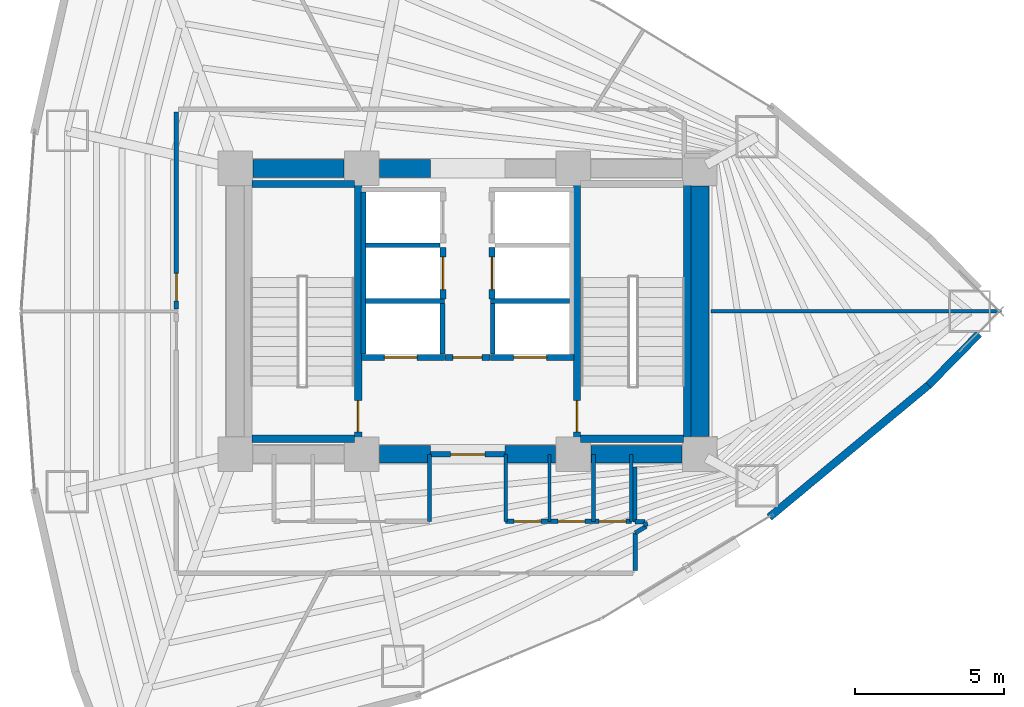
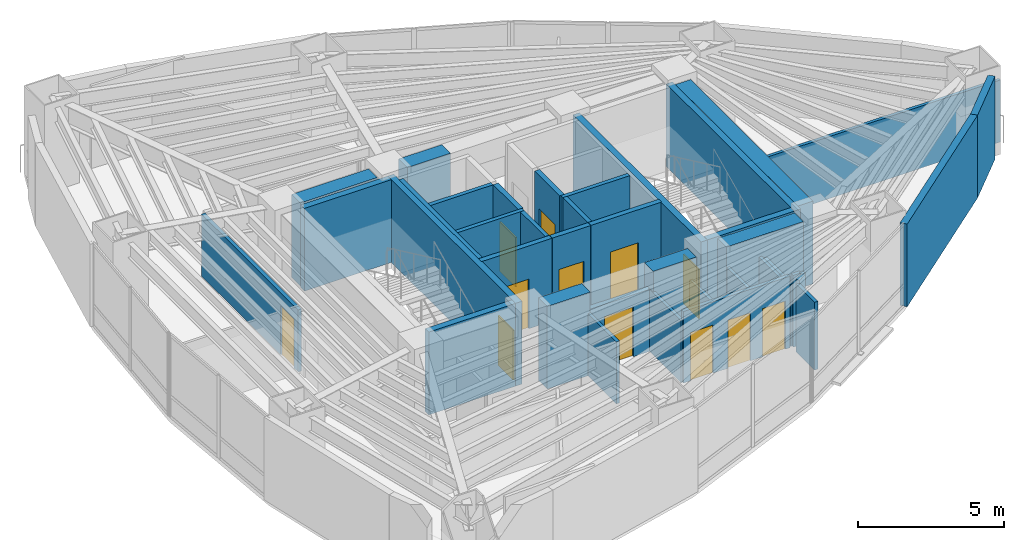
# One storey, part 14 of 18: 39 walls, 12 doors, 12 openings.
"""IFC4 building model written with IfcOpenShell, lengths in metres."""

from ifc_helpers import new_model, si_unit, direction, frame, frame_2d, origin, place, context, subcontext, project, spatial, rectangle, extrude, material, layer, layer_set, type_object, element, fill, save


model = new_model("IFC4")

# Units and contexts
model_context = context("Model", 3, precision=1e-05, world=origin(), true_north=direction((0.0, 1.0)))
body_context = subcontext(model_context, "Body", "Model", "MODEL_VIEW")
ifc_project = project(units=[si_unit("LENGTHUNIT", "METRE"), si_unit("AREAUNIT", "SQUARE_METRE"), si_unit("VOLUMEUNIT", "CUBIC_METRE"), si_unit("PLANEANGLEUNIT", "RADIAN"), si_unit("MASSUNIT", "GRAM", prefix="KILO")], contexts=[model_context])

# Site, building, storey
site_placement = place(None, origin())
site = spatial("IfcSite", under=ifc_project, at=site_placement, CompositionType="ELEMENT")
building_placement = place(site_placement, origin())
building = spatial("IfcBuilding", under=site, at=building_placement, Name="Menara Vayukalpa", CompositionType="ELEMENT")
storey_placement = place(building_placement, frame((0.0, 0.0, 35.0400390625)))
storey = spatial("IfcBuildingStorey", under=building, at=storey_placement, Name="L07", CompositionType="ELEMENT", Elevation=35.0400390625)

# Walls
ifc_material_1 = material(Name="Concrete C70/85", Category="concrete")
ifc_layer_1 = layer(ifc_material_1, 0.60009765625)
ifc_layer_set_1 = layer_set([ifc_layer_1], Name="Concrete C70/85")
wall_type_1 = type_object("IfcWallType", Name="WAL-CW600", PredefinedType="SHEAR", material=ifc_layer_set_1)
wall_1_placement = place(storey_placement, frame((22.64501953125, 17.199951171875, 0.0), z_axis=(0.0, 0.0, 1.0), x_axis=(1.0, 0.0, 0.0)))
element("IfcWall", 1, at=wall_1_placement, inside=storey, type_object=wall_type_1, Name="L07 Buttressed Core Shear Wall CWS2", PredefinedType="SHEAR", context=body_context, shape_type="SweptSolid", body=[
    extrude(rectangle(XDim=1.705078125, YDim=0.60009765625, at=frame_2d((0.8525390625, 0.0))), origin(), (0.0, 0.0, 1.0), 3.469970703125),
])
wall_2_placement = place(storey_placement, frame((26.85009765625, 17.199951171875, 0.0), z_axis=(0.0, 0.0, 1.0), x_axis=(1.0, 0.0, 0.0)))
element("IfcWall", 2, at=wall_2_placement, inside=storey, type_object=wall_type_1, Name="L07 Buttressed Core Shear Wall CWS3", PredefinedType="SHEAR", context=body_context, shape_type="SweptSolid", body=[
    extrude(rectangle(XDim=1.704833984375, YDim=0.60009765625, at=frame_2d((0.8525390625, 0.0))), origin(), (0.0, 0.0, 1.0), 3.469970703125),
])
wall_3_placement = place(storey_placement, frame((29.7451171875, 17.199951171875, 0.0), z_axis=(0.0, 0.0, 1.0), x_axis=(1.0, 0.0, 0.0)))
element("IfcWall", 3, at=wall_3_placement, inside=storey, type_object=wall_type_1, Name="L07 Buttressed Core Shear Wall CWS4", PredefinedType="SHEAR", context=body_context, shape_type="SweptSolid", body=[
    extrude(rectangle(XDim=3.059814453125, YDim=0.60009765625, at=frame_2d((1.52978515625, 0.0))), origin(), (0.0, 0.0, 1.0), 3.469970703125),
])
wall_4_placement = place(storey_placement, frame((18.39501953125, 26.800048828125, 0.0), z_axis=(0.0, 0.0, 1.0), x_axis=(1.0, 0.0, 0.0)))
element("IfcWall", 4, at=wall_4_placement, inside=storey, type_object=wall_type_1, Name="L07 Buttressed Core Shear Wall CWN1", PredefinedType="SHEAR", context=body_context, shape_type="SweptSolid", body=[
    extrude(rectangle(XDim=3.06005859375, YDim=0.60009765625, at=frame_2d((1.530029296875, 0.0))), origin(), (0.0, 0.0, 1.0), 3.469970703125),
])
wall_5_placement = place(storey_placement, frame((22.64501953125, 26.800048828125, 0.0), z_axis=(0.0, 0.0, 1.0), x_axis=(1.0, 0.0, 0.0)))
element("IfcWall", 5, at=wall_5_placement, inside=storey, type_object=wall_type_1, Name="L07 Buttressed Core Shear Wall CWN2", PredefinedType="SHEAR", context=body_context, shape_type="SweptSolid", body=[
    extrude(rectangle(XDim=1.705078125, YDim=0.60009765625, at=frame_2d((0.8525390625, 0.0))), origin(), (0.0, 0.0, 1.0), 3.469970703125),
])
wall_6_placement = place(storey_placement, frame((33.39990234375, 17.794921875, 0.0), z_axis=(0.0, 0.0, 1.0), x_axis=(0.0, 1.0, 0.0)))
element("IfcWall", 6, at=wall_6_placement, inside=storey, type_object=wall_type_1, Name="L07 Buttressed Core Shear Wall CWE1", PredefinedType="SHEAR", context=body_context, shape_type="SweptSolid", body=[
    extrude(rectangle(XDim=8.41015625, YDim=0.60009765625, at=frame_2d((4.205078125, 0.0))), origin(), (0.0, 0.0, 1.0), 3.469970703125),
])
ifc_material_2 = material(Name="Insulated Precast Concrete C40/50", Category="concrete")
ifc_layer_2 = layer(ifc_material_2, 0.260009765625)
ifc_layer_set_2 = layer_set([ifc_layer_2], Name="Insulated Precast Concrete C40/50")
wall_type_2 = type_object("IfcWallType", Name="WAL-EXT260", PredefinedType="PARTITIONING", material=ifc_layer_set_2)
wall_7_placement = place(storey_placement, frame((42.770263671875, 21.24169921875, 0.0), z_axis=(0.0, 0.0, 1.0), x_axis=(-0.70059851419, -0.713555689427, 0.0)))
element("IfcWall", 7, at=wall_7_placement, inside=storey, type_object=wall_type_2, Name="L07 Perimeter Terracotta Pier Wall 01", PredefinedType="PARTITIONING", context=body_context, shape_type="SweptSolid", body=[
    extrude(rectangle(XDim=2.411865234375, YDim=0.260009765625, at=frame_2d((1.2060546875, 0.0))), origin(), (0.0, 0.0, 1.0), 3.469970703125),
])
wall_8_placement = place(storey_placement, frame((41.08935546875, 19.52880859375, 0.0), z_axis=(0.0, 0.0, 1.0), x_axis=(-0.769754596928, -0.638339925517, 0.0)))
element("IfcWall", 8, at=wall_8_placement, inside=storey, type_object=wall_type_2, Name="L07 Perimeter Terracotta Pier Wall 18", PredefinedType="PARTITIONING", context=body_context, shape_type="SweptSolid", body=[
    extrude(rectangle(XDim=6.959228515625, YDim=0.260009765625, at=frame_2d((3.4794921875, 0.0))), origin(), (0.0, 0.0, 1.0), 3.469970703125),
])
ifc_material_3 = material(Name="Lightweight Concrete Blockwork C16/20", Category="masonry")
ifc_layer_3 = layer(ifc_material_3, 0.159912109375)
ifc_layer_set_3 = layer_set([ifc_layer_3], Name="Lightweight Concrete Blockwork C16/20")
wall_type_3 = type_object("IfcWallType", Name="WAL-FR150", PredefinedType="PARTITIONING", material=ifc_layer_set_3)
wall_9_placement = place(storey_placement, frame((22.10498046875, 20.56005859375, 0.0), z_axis=(0.0, 0.0, 1.0), x_axis=(0.0, 1.0, 0.0)))
element("IfcWall", 9, at=wall_9_placement, inside=storey, type_object=wall_type_3, Name="L07 Interior Partition IW-L07-SHW-WW", PredefinedType="PARTITIONING", context=body_context, shape_type="SweptSolid", body=[
    extrude(rectangle(XDim=5.449951171875, YDim=0.159912109375, at=frame_2d((2.72509765625, 0.0))), origin(), (0.0, 0.0, 1.0), 3.469970703125),
])
wall_10_placement = place(storey_placement, frame((24.7548828125, 20.56005859375, 0.0), z_axis=(0.0, 0.0, 1.0), x_axis=(0.0, 1.0, 0.0)))
element("IfcWall", 10, at=wall_10_placement, inside=storey, type_object=wall_type_3, Name="L07 Interior Partition IW-L07-SHW-W1E", PredefinedType="PARTITIONING", context=body_context, shape_type="SweptSolid", body=[
    extrude(rectangle(XDim=1.7099609375, YDim=0.159912109375, at=frame_2d((0.85498046875, 0.0))), origin(), (0.0, 0.0, 1.0), 3.469970703125),
])
wall_11_placement = place(storey_placement, frame((22.179931640625, 22.344970703125, 0.0), z_axis=(0.0, 0.0, 1.0), x_axis=(1.0, 0.0, 0.0)))
element("IfcWall", 11, at=wall_11_placement, inside=storey, type_object=wall_type_3, Name="L07 Interior Partition IW-L07-SHM-W12", PredefinedType="PARTITIONING", context=body_context, shape_type="SweptSolid", body=[
    extrude(rectangle(XDim=2.650146484375, YDim=0.159912109375, at=frame_2d((1.3251953125, 0.0))), origin(), (0.0, 0.0, 1.0), 3.469970703125),
])
wall_12_placement = place(storey_placement, frame((22.179931640625, 24.215087890625, 0.0), z_axis=(0.0, 0.0, 1.0), x_axis=(1.0, 0.0, 0.0)))
element("IfcWall", 12, at=wall_12_placement, inside=storey, type_object=wall_type_3, Name="L07 Interior Partition IW-L07-SHM-W23", PredefinedType="PARTITIONING", context=body_context, shape_type="SweptSolid", body=[
    extrude(rectangle(XDim=2.489990234375, YDim=0.159912109375, at=frame_2d((1.2451171875, 0.0))), origin(), (0.0, 0.0, 1.0), 3.469970703125),
])
wall_13_placement = place(storey_placement, frame((26.445068359375, 20.56005859375, 0.0), z_axis=(0.0, 0.0, 1.0), x_axis=(0.0, 1.0, 0.0)))
element("IfcWall", 13, at=wall_13_placement, inside=storey, type_object=wall_type_3, Name="L07 Interior Partition IW-L07-SHW-E1W", PredefinedType="PARTITIONING", context=body_context, shape_type="SweptSolid", body=[
    extrude(rectangle(XDim=1.7099609375, YDim=0.159912109375, at=frame_2d((0.85498046875, 0.0))), origin(), (0.0, 0.0, 1.0), 3.469970703125),
])
wall_14_placement = place(storey_placement, frame((26.3701171875, 22.344970703125, 0.0), z_axis=(0.0, 0.0, 1.0), x_axis=(1.0, 0.0, 0.0)))
element("IfcWall", 14, at=wall_14_placement, inside=storey, type_object=wall_type_3, Name="L07 Interior Partition IW-L07-SHM-E13", PredefinedType="PARTITIONING", context=body_context, shape_type="SweptSolid", body=[
    extrude(rectangle(XDim=2.64990234375, YDim=0.159912109375, at=frame_2d((1.324951171875, 0.0))), origin(), (0.0, 0.0, 1.0), 3.469970703125),
])

# Wall, opening, door
ifc_material_4 = material(Name="Lightweight Concrete Blockwork C16/20", Category="masonry")
ifc_layer_4 = layer(ifc_material_4, 0.199951171875)
ifc_layer_set_4 = layer_set([ifc_layer_4], Name="Lightweight Concrete Blockwork C16/20")
wall_type_4 = type_object("IfcWallType", Name="WAL-FR200", PredefinedType="PARTITIONING", material=ifc_layer_set_4)
wall_15_placement = place(storey_placement, frame((24.35009765625, 17.199951171875, 0.0), z_axis=(0.0, 0.0, 1.0), x_axis=(1.0, 0.0, 0.0)))
wall_15 = element("IfcWall", 15, at=wall_15_placement, inside=storey, type_object=wall_type_4, Name="L07 Interior Partition IW-L07-FFLS", PredefinedType="PARTITIONING", context=body_context, shape_type="SweptSolid", body=[
    extrude(rectangle(XDim=2.5, YDim=0.199951171875, at=frame_2d((1.25, 0.0))), origin(), (0.0, 0.0, 1.0), 2.599853515625),
])
opening_1_placement = place(wall_15_placement, frame((0.679931640625, 0.0, 0.0)))
opening_1 = element("IfcOpeningElement", 16, at=opening_1_placement, cuts=wall_15, Name="Opening ID2", PredefinedType="OPENING", context=body_context, shape_type="SweptSolid", body=[
    extrude(rectangle(XDim=1.14990234375, YDim=2.080078125, at=frame_2d((0.574951171875, 1.0400390625))), frame((0.0, 0.10986328125, 0.0), z_axis=(0.0, -1.0, 0.0), x_axis=(1.0, 0.0, 0.0)), (0.0, 0.0, 1.0), 0.219970703125),
])
ifc_material_5 = material(Name="Fire-Rated Powder-Coated Steel Door", Category="steel")
door_type_1 = type_object("IfcDoorType", Name="DR-FD60W", OperationType="NOTDEFINED", PredefinedType="DOOR", material=ifc_material_5)
door_1_placement = place(opening_1_placement, origin())
door_1 = element("IfcDoor", 17, at=door_1_placement, inside=storey, type_object=door_type_1, Name="L07 Interior Door DR-L07-FFLS", OperationType="SINGLE_SWING_LEFT", OverallHeight=2.080078125, OverallWidth=1.14990234375, PredefinedType="DOOR", context=body_context, shape_type="SweptSolid", body=[
    extrude(rectangle(XDim=1.14990234375, YDim=2.080078125, at=frame_2d((0.574951171875, 1.0400390625))), frame((0.0, 0.02490234375, 0.0), z_axis=(0.0, -1.0, 0.0), x_axis=(1.0, 0.0, 0.0)), (0.0, 0.0, 1.0), 0.050048828125),
])
fill(opening_1, door_1)

wall_16_placement = place(storey_placement, frame((24.840087890625, 20.449951171875, 0.0), z_axis=(0.0, 0.0, 1.0), x_axis=(1.0, 0.0, 0.0)))
wall_16 = element("IfcWall", 18, at=wall_16_placement, inside=storey, type_object=wall_type_4, Name="L07 Interior Partition IW-L07-FFLN", PredefinedType="PARTITIONING", context=body_context, shape_type="SweptSolid", body=[
    extrude(rectangle(XDim=1.52001953125, YDim=0.199951171875, at=frame_2d((0.760009765625, 0.0))), origin(), (0.0, 0.0, 1.0), 3.469970703125),
])
opening_2_placement = place(wall_16_placement, frame((0.27001953125, 0.0, 0.0)))
opening_2 = element("IfcOpeningElement", 19, at=opening_2_placement, cuts=wall_16, Name="Opening ID3", PredefinedType="OPENING", context=body_context, shape_type="SweptSolid", body=[
    extrude(rectangle(XDim=0.97998046875, YDim=2.06005859375, at=frame_2d((0.489990234375, 1.030029296875))), frame((0.0, 0.10986328125, 0.0), z_axis=(0.0, -1.0, 0.0), x_axis=(1.0, 0.0, 0.0)), (0.0, 0.0, 1.0), 0.219970703125),
])
ifc_material_6 = material(Name="Fire-Rated Powder-Coated Steel Door", Category="steel")
door_type_2 = type_object("IfcDoorType", Name="DR-FD60", OperationType="NOTDEFINED", PredefinedType="DOOR", material=ifc_material_6)
door_2_placement = place(opening_2_placement, origin())
door_2 = element("IfcDoor", 20, at=door_2_placement, inside=storey, type_object=door_type_2, Name="L07 Interior Door DR-L07-FFLN", OperationType="SINGLE_SWING_RIGHT", OverallHeight=2.06005859375, OverallWidth=0.97998046875, PredefinedType="DOOR", context=body_context, shape_type="SweptSolid", body=[
    extrude(rectangle(XDim=0.97998046875, YDim=2.06005859375, at=frame_2d((0.489990234375, 1.030029296875))), frame((0.0, 0.02490234375, 0.0), z_axis=(0.0, -1.0, 0.0), x_axis=(1.0, 0.0, 0.0)), (0.0, 0.0, 1.0), 0.050048828125),
])
fill(opening_2, door_2)

wall_17_placement = place(storey_placement, frame((22.030029296875, 20.449951171875, 0.0), z_axis=(0.0, 0.0, 1.0), x_axis=(1.0, 0.0, 0.0)))
wall_17 = element("IfcWall", 21, at=wall_17_placement, inside=storey, type_object=wall_type_4, Name="L07 Interior Partition IW-L07-SH-W1", PredefinedType="PARTITIONING", context=body_context, shape_type="SweptSolid", body=[
    extrude(rectangle(XDim=2.800048828125, YDim=0.199951171875, at=frame_2d((1.39990234375, 0.0))), origin(), (0.0, 0.0, 1.0), 3.469970703125),
])
opening_3_placement = place(wall_17_placement, frame((0.780029296875, 0.0, 0.0)))
opening_3 = element("IfcOpeningElement", 22, at=opening_3_placement, cuts=wall_17, Name="Opening LD1", PredefinedType="OPENING", context=body_context, shape_type="SweptSolid", body=[
    extrude(rectangle(XDim=1.10009765625, YDim=2.080078125, at=frame_2d((0.550048828125, 1.0400390625))), frame((0.0, 0.10986328125, 0.0), z_axis=(0.0, -1.0, 0.0), x_axis=(1.0, 0.0, 0.0)), (0.0, 0.0, 1.0), 0.219970703125),
])
ifc_material_7 = material(Name="Brushed Stainless Steel 316 Lift Door", Category="steel")
door_type_3 = type_object("IfcDoorType", Name="DR-LD110", OperationType="NOTDEFINED", PredefinedType="DOOR", material=ifc_material_7)
door_3_placement = place(opening_3_placement, origin())
door_3 = element("IfcDoor", 23, at=door_3_placement, inside=storey, type_object=door_type_3, Name="L07 Interior Door DR-L07-LD-W1", OperationType="DOUBLE_DOOR_SLIDING", OverallHeight=2.080078125, OverallWidth=1.10009765625, PredefinedType="DOOR", context=body_context, shape_type="SweptSolid", body=[
    extrude(rectangle(XDim=1.10009765625, YDim=2.080078125, at=frame_2d((0.550048828125, 1.0400390625))), frame((0.0, 0.02490234375, 0.0), z_axis=(0.0, -1.0, 0.0), x_axis=(1.0, 0.0, 0.0)), (0.0, 0.0, 1.0), 0.050048828125),
])
fill(opening_3, door_3)

wall_18_placement = place(storey_placement, frame((26.3701171875, 20.449951171875, 0.0), z_axis=(0.0, 0.0, 1.0), x_axis=(1.0, 0.0, 0.0)))
wall_18 = element("IfcWall", 24, at=wall_18_placement, inside=storey, type_object=wall_type_4, Name="L07 Interior Partition IW-L07-SH-E1", PredefinedType="PARTITIONING", context=body_context, shape_type="SweptSolid", body=[
    extrude(rectangle(XDim=2.7998046875, YDim=0.199951171875, at=frame_2d((1.39990234375, 0.0))), origin(), (0.0, 0.0, 1.0), 3.469970703125),
])
opening_4_placement = place(wall_18_placement, frame((0.780029296875, 0.0, 0.0)))
opening_4 = element("IfcOpeningElement", 25, at=opening_4_placement, cuts=wall_18, Name="Opening LD1", PredefinedType="OPENING", context=body_context, shape_type="SweptSolid", body=[
    extrude(rectangle(XDim=1.10009765625, YDim=2.080078125, at=frame_2d((0.550048828125, 1.0400390625))), frame((0.0, 0.10986328125, 0.0), z_axis=(0.0, -1.0, 0.0), x_axis=(1.0, 0.0, 0.0)), (0.0, 0.0, 1.0), 0.219970703125),
])
door_4_placement = place(opening_4_placement, origin())
door_4 = element("IfcDoor", 26, at=door_4_placement, inside=storey, type_object=door_type_3, Name="L07 Interior Door DR-L07-LD-E1", OperationType="DOUBLE_DOOR_SLIDING", OverallHeight=2.080078125, OverallWidth=1.10009765625, PredefinedType="DOOR", context=body_context, shape_type="SweptSolid", body=[
    extrude(rectangle(XDim=1.10009765625, YDim=2.080078125, at=frame_2d((0.550048828125, 1.0400390625))), frame((0.0, 0.02490234375, 0.0), z_axis=(0.0, -1.0, 0.0), x_axis=(1.0, 0.0, 0.0)), (0.0, 0.0, 1.0), 0.050048828125),
])
fill(opening_4, door_4)

wall_19_placement = place(storey_placement, frame((24.780029296875, 22.419921875, 0.0), z_axis=(0.0, 0.0, 1.0), x_axis=(0.0, 1.0, 0.0)))
wall_19 = element("IfcWall", 27, at=wall_19_placement, inside=storey, type_object=wall_type_4, Name="L07 Interior Partition IW-L07-SH-W2", PredefinedType="PARTITIONING", context=body_context, shape_type="SweptSolid", body=[
    extrude(rectangle(XDim=1.719970703125, YDim=0.199951171875, at=frame_2d((0.85986328125, 0.0))), origin(), (0.0, 0.0, 1.0), 3.469970703125),
])
opening_5_placement = place(wall_19_placement, frame((0.31005859375, 0.0, 0.0)))
opening_5 = element("IfcOpeningElement", 28, at=opening_5_placement, cuts=wall_19, Name="Opening LD1", PredefinedType="OPENING", context=body_context, shape_type="SweptSolid", body=[
    extrude(rectangle(XDim=1.10009765625, YDim=2.080078125, at=frame_2d((0.550048828125, 1.0400390625))), frame((0.0, 0.10986328125, 0.0), z_axis=(0.0, -1.0, 0.0), x_axis=(1.0, 0.0, 0.0)), (0.0, 0.0, 1.0), 0.219970703125),
])
door_5_placement = place(opening_5_placement, origin())
door_5 = element("IfcDoor", 29, at=door_5_placement, inside=storey, type_object=door_type_3, Name="L07 Interior Door DR-L07-LD-W2", OperationType="DOUBLE_DOOR_SLIDING", OverallHeight=2.080078125, OverallWidth=1.10009765625, PredefinedType="DOOR", context=body_context, shape_type="SweptSolid", body=[
    extrude(rectangle(XDim=1.10009765625, YDim=2.080078125, at=frame_2d((0.550048828125, 1.0400390625))), frame((0.0, 0.02490234375, 0.0), z_axis=(0.0, -1.0, 0.0), x_axis=(1.0, 0.0, 0.0)), (0.0, 0.0, 1.0), 0.050048828125),
])
fill(opening_5, door_5)

wall_20_placement = place(storey_placement, frame((26.419921875, 22.419921875, 0.0), z_axis=(0.0, 0.0, 1.0), x_axis=(0.0, 1.0, 0.0)))
wall_20 = element("IfcWall", 30, at=wall_20_placement, inside=storey, type_object=wall_type_4, Name="L07 Interior Partition IW-L07-SH-E3", PredefinedType="PARTITIONING", context=body_context, shape_type="SweptSolid", body=[
    extrude(rectangle(XDim=1.719970703125, YDim=0.199951171875, at=frame_2d((0.85986328125, 0.0))), origin(), (0.0, 0.0, 1.0), 3.469970703125),
])
opening_6_placement = place(wall_20_placement, frame((0.31005859375, 0.0, 0.0)))
opening_6 = element("IfcOpeningElement", 31, at=opening_6_placement, cuts=wall_20, Name="Opening LD1", PredefinedType="OPENING", context=body_context, shape_type="SweptSolid", body=[
    extrude(rectangle(XDim=1.10009765625, YDim=2.080078125, at=frame_2d((0.550048828125, 1.0400390625))), frame((0.0, 0.10986328125, 0.0), z_axis=(0.0, -1.0, 0.0), x_axis=(1.0, 0.0, 0.0)), (0.0, 0.0, 1.0), 0.219970703125),
])
door_6_placement = place(opening_6_placement, origin())
door_6 = element("IfcDoor", 32, at=door_6_placement, inside=storey, type_object=door_type_3, Name="L07 Interior Door DR-L07-LD-E3", OperationType="DOUBLE_DOOR_SLIDING", OverallHeight=2.080078125, OverallWidth=1.10009765625, PredefinedType="DOOR", context=body_context, shape_type="SweptSolid", body=[
    extrude(rectangle(XDim=1.10009765625, YDim=2.080078125, at=frame_2d((0.550048828125, 1.0400390625))), frame((0.0, 0.02490234375, 0.0), z_axis=(0.0, -1.0, 0.0), x_axis=(1.0, 0.0, 0.0)), (0.0, 0.0, 1.0), 0.050048828125),
])
fill(opening_6, door_6)

# Walls
ifc_material_8 = material(Name="Acoustic Mineral Stud Partition", Category="masonry")
ifc_layer_5 = layer(ifc_material_8, 0.110107421875)
ifc_layer_set_5 = layer_set([ifc_layer_5], Name="Acoustic Mineral Stud Partition")
wall_type_5 = type_object("IfcWallType", Name="WAL-PT110", PredefinedType="PARTITIONING", material=ifc_layer_set_5)
wall_21_placement = place(storey_placement, frame((28.35009765625, 14.949951171875, 0.0), z_axis=(0.0, 0.0, 1.0), x_axis=(0.0, 1.0, 0.0)))
element("IfcWall", 33, at=wall_21_placement, inside=storey, type_object=wall_type_5, Name="L07 Interior Partition IW-L07-SVCD-05", PredefinedType="PARTITIONING", context=body_context, shape_type="SweptSolid", body=[
    extrude(rectangle(XDim=2.25, YDim=0.110107421875, at=frame_2d((1.125, 0.0))), origin(), (0.0, 0.0, 1.0), 2.599853515625),
])
ifc_material_9 = material(Name="Gypsum Drywall Steel Stud Assembly", Category="steel")
ifc_layer_6 = layer(ifc_material_9, 0.125)
ifc_layer_set_6 = layer_set([ifc_layer_6], Name="Gypsum Drywall Steel Stud Assembly")
wall_type_6 = type_object("IfcWallType", Name="WAL-PT125", PredefinedType="PARTITIONING", material=ifc_layer_set_6)
for number, where, z_axis, x_axis, name in (
    (34, (24.320068359375, 14.949951171875, 0.0), (0.0, 0.0, 1.0), (0.0, 1.0, 0.0), "L07 Interior Partition IW-L07-SVCD-03"),
    (35, (26.8798828125, 14.949951171875, 0.0), (0.0, 0.0, 1.0), (0.0, 1.0, 0.0), "L07 Interior Partition IW-L07-SVCD-04"),
    (36, (29.830078125, 14.949951171875, 0.0), (0.0, 0.0, 1.0), (0.0, 1.0, 0.0), "L07 Interior Partition IW-L07-SVCD-06"),
    (37, (31.10009765625, 14.949951171875, 0.0), (0.0, 0.0, 1.0), (0.0, 1.0, 0.0), "L07 Interior Partition IW-L07-SVCD-07"),
):
    element("IfcWall", number, at=place(storey_placement, frame(where, z_axis=z_axis, x_axis=x_axis)), inside=storey, type_object=wall_type_6, Name=name, PredefinedType="PARTITIONING", context=body_context, shape_type="SweptSolid", body=[
        extrude(rectangle(XDim=2.25, YDim=0.125, at=frame_2d((1.125, 0.0))), origin(), (0.0, 0.0, 1.0), 2.599853515625),
    ])
wall_22_placement = place(storey_placement, frame((33.77001953125, 22.0, 0.0), z_axis=(0.0, 0.0, 1.0), x_axis=(1.0, 0.0, 0.0)))
element("IfcWall", 38, at=wall_22_placement, inside=storey, type_object=wall_type_6, Name="L07 Interior Partition IW-L07-RDIV01", PredefinedType="PARTITIONING", context=body_context, shape_type="SweptSolid", body=[
    extrude(rectangle(XDim=9.7548828125, YDim=0.125, at=frame_2d((4.87744140625, 0.0))), origin(), (0.0, 0.0, 1.0), 2.599853515625),
])

# Wall, openings, doors
ifc_material_10 = material(Name="Gypsum Drywall Acoustic Stud Assembly", Category="masonry")
ifc_layer_7 = layer(ifc_material_10, 0.14501953125)
ifc_layer_set_7 = layer_set([ifc_layer_7], Name="Gypsum Drywall Acoustic Stud Assembly")
wall_type_7 = type_object("IfcWallType", Name="WAL-PT150", PredefinedType="PARTITIONING", material=ifc_layer_set_7)
wall_23_placement = place(storey_placement, frame((26.8798828125, 14.949951171875, 0.0), z_axis=(0.0, 0.0, 1.0), x_axis=(1.0, 0.0, 0.0)))
wall_23 = element("IfcWall", 39, at=wall_23_placement, inside=storey, type_object=wall_type_7, Name="L07 Interior Partition IW-L07-SVCS-E", PredefinedType="PARTITIONING", context=body_context, shape_type="SweptSolid", body=[
    extrude(rectangle(XDim=4.22021484375, YDim=0.14501953125, at=frame_2d((2.110107421875, 0.0))), origin(), (0.0, 0.0, 1.0), 3.0),
])
opening_7_placement = place(wall_23_placement, frame((0.280029296875, 0.0, 0.0)))
opening_7 = element("IfcOpeningElement", 40, at=opening_7_placement, cuts=wall_23, Name="Opening ID7", PredefinedType="OPENING", context=body_context, shape_type="SweptSolid", body=[
    extrude(rectangle(XDim=0.89990234375, YDim=2.02001953125, at=frame_2d((0.449951171875, 1.010009765625))), frame((0.0, 0.08251953125, 0.0), z_axis=(0.0, -1.0, 0.0), x_axis=(1.0, 0.0, 0.0)), (0.0, 0.0, 1.0), 0.1650390625),
])
opening_8_placement = place(wall_23_placement, frame((1.760009765625, 0.0, 0.0)))
opening_8 = element("IfcOpeningElement", 41, at=opening_8_placement, cuts=wall_23, Name="Opening ID7", PredefinedType="OPENING", context=body_context, shape_type="SweptSolid", body=[
    extrude(rectangle(XDim=0.89990234375, YDim=2.02001953125, at=frame_2d((0.449951171875, 1.010009765625))), frame((0.0, 0.08251953125, 0.0), z_axis=(0.0, -1.0, 0.0), x_axis=(1.0, 0.0, 0.0)), (0.0, 0.0, 1.0), 0.1650390625),
])
opening_9_placement = place(wall_23_placement, frame((3.139892578125, 0.0, 0.0)))
opening_9 = element("IfcOpeningElement", 42, at=opening_9_placement, cuts=wall_23, Name="Opening ID7", PredefinedType="OPENING", context=body_context, shape_type="SweptSolid", body=[
    extrude(rectangle(XDim=0.89990234375, YDim=2.02001953125, at=frame_2d((0.449951171875, 1.010009765625))), frame((0.0, 0.08251953125, 0.0), z_axis=(0.0, -1.0, 0.0), x_axis=(1.0, 0.0, 0.0)), (0.0, 0.0, 1.0), 0.1650390625),
])
ifc_material_11 = material(Name="Powder-Coated Steel Riser Access Door", Category="steel")
door_type_4 = type_object("IfcDoorType", Name="DR-RISER", OperationType="NOTDEFINED", PredefinedType="DOOR", material=ifc_material_11)
door_7_placement = place(opening_7_placement, origin())
door_7 = element("IfcDoor", 43, at=door_7_placement, inside=storey, type_object=door_type_4, Name="L07 Interior Door DR-L07-KSV1", OperationType="SINGLE_SWING_LEFT", OverallHeight=2.02001953125, OverallWidth=0.89990234375, PredefinedType="DOOR", context=body_context, shape_type="SweptSolid", body=[
    extrude(rectangle(XDim=0.89990234375, YDim=2.02001953125, at=frame_2d((0.449951171875, 1.010009765625))), frame((0.0, 0.02490234375, 0.0), z_axis=(0.0, -1.0, 0.0), x_axis=(1.0, 0.0, 0.0)), (0.0, 0.0, 1.0), 0.050048828125),
])
fill(opening_7, door_7)
door_8_placement = place(opening_8_placement, origin())
door_8 = element("IfcDoor", 44, at=door_8_placement, inside=storey, type_object=door_type_4, Name="L07 Interior Door DR-L07-KSV2", OperationType="SINGLE_SWING_RIGHT", OverallHeight=2.02001953125, OverallWidth=0.89990234375, PredefinedType="DOOR", context=body_context, shape_type="SweptSolid", body=[
    extrude(rectangle(XDim=0.89990234375, YDim=2.02001953125, at=frame_2d((0.449951171875, 1.010009765625))), frame((0.0, 0.02490234375, 0.0), z_axis=(0.0, -1.0, 0.0), x_axis=(1.0, 0.0, 0.0)), (0.0, 0.0, 1.0), 0.050048828125),
])
fill(opening_8, door_8)
door_9_placement = place(opening_9_placement, origin())
door_9 = element("IfcDoor", 45, at=door_9_placement, inside=storey, type_object=door_type_4, Name="L07 Interior Door DR-L07-SMD", OperationType="SINGLE_SWING_LEFT", OverallHeight=2.02001953125, OverallWidth=0.89990234375, PredefinedType="DOOR", context=body_context, shape_type="SweptSolid", body=[
    extrude(rectangle(XDim=0.89990234375, YDim=2.02001953125, at=frame_2d((0.449951171875, 1.010009765625))), frame((0.0, 0.02490234375, 0.0), z_axis=(0.0, -1.0, 0.0), x_axis=(1.0, 0.0, 0.0)), (0.0, 0.0, 1.0), 0.050048828125),
])
fill(opening_9, door_9)

# Walls
wall_24_placement = place(storey_placement, frame((31.22998046875, 13.2900390625, 0.0), z_axis=(0.0, 0.0, 1.0), x_axis=(0.0, 1.0, 0.0)))
element("IfcWall", 46, at=wall_24_placement, inside=storey, type_object=wall_type_7, Name="L07 Interior Partition IW-L07-CRM03-2", PredefinedType="PARTITIONING", context=body_context, shape_type="SweptSolid", body=[
    extrude(rectangle(XDim=1.26806640625, YDim=0.14501953125, at=frame_2d((0.634033203125, 0.0))), origin(), (0.0, 0.0, 1.0), 2.849853515625),
])
wall_25_placement = place(storey_placement, frame((31.22998046875, 14.55810546875, 0.0), z_axis=(0.0, 0.0, 1.0), x_axis=(0.854931196424, 0.518741408971, 0.0)))
element("IfcWall", 47, at=wall_25_placement, inside=storey, type_object=wall_type_7, Name="L07 Interior Partition IW-L07-CRM03-3", PredefinedType="PARTITIONING", context=body_context, shape_type="SweptSolid", body=[
    extrude(rectangle(XDim=0.4306640625, YDim=0.14501953125, at=frame_2d((0.21533203125, 0.0))), origin(), (0.0, 0.0, 1.0), 3.0),
])
wall_26_placement = place(storey_placement, frame((31.556640625, 14.929931640625, 0.0), z_axis=(0.0, 0.0, 1.0), x_axis=(-1.0, 0.0, 0.0)))
element("IfcWall", 48, at=wall_26_placement, inside=storey, type_object=wall_type_7, Name="L07 Interior Partition IW-L07-CRM03-4", PredefinedType="PARTITIONING", context=body_context, shape_type="SweptSolid", body=[
    extrude(rectangle(XDim=0.336669921875, YDim=0.14501953125, at=frame_2d((0.16845703125, 0.0))), origin(), (0.0, 0.0, 1.0), 3.0),
])
wall_27_placement = place(storey_placement, frame((31.219970703125, 14.929931640625, 0.0), z_axis=(0.0, 0.0, 1.0), x_axis=(0.0, 1.0, 0.0)))
element("IfcWall", 49, at=wall_27_placement, inside=storey, type_object=wall_type_7, Name="L07 Interior Partition IW-L07-CRM03-5", PredefinedType="PARTITIONING", context=body_context, shape_type="SweptSolid", body=[
    extrude(rectangle(XDim=1.85009765625, YDim=0.14501953125, at=frame_2d((0.925048828125, 0.0))), origin(), (0.0, 0.0, 1.0), 2.599853515625),
])

# Wall, opening, door
wall_28_placement = place(storey_placement, frame((15.820068359375, 28.699951171875, 0.0), z_axis=(0.0, 0.0, 1.0), x_axis=(0.0, -1.0, 0.0)))
wall_28 = element("IfcWall", 50, at=wall_28_placement, inside=storey, type_object=wall_type_7, Name="L07 Interior Partition IW-L07-CRM06-2", PredefinedType="PARTITIONING", context=body_context, shape_type="SweptSolid", body=[
    extrude(rectangle(XDim=6.6298828125, YDim=0.14501953125, at=frame_2d((3.31494140625, 0.0))), origin(), (0.0, 0.0, 1.0), 2.599853515625),
])
opening_10_placement = place(wall_28_placement, frame((5.429931640625, 0.0, 0.0)))
opening_10 = element("IfcOpeningElement", 51, at=opening_10_placement, cuts=wall_28, Name="Opening ID6", PredefinedType="OPENING", context=body_context, shape_type="SweptSolid", body=[
    extrude(rectangle(XDim=0.919921875, YDim=2.050048828125, at=frame_2d((0.4599609375, 1.02490234375))), frame((0.0, 0.08251953125, 0.0), z_axis=(0.0, -1.0, 0.0), x_axis=(1.0, 0.0, 0.0)), (0.0, 0.0, 1.0), 0.1650390625),
])
ifc_material_12 = material(Name="Acoustic Hardwood Veneer Timber Door", Category="wood")
door_type_5 = type_object("IfcDoorType", Name="DR-INT92", OperationType="NOTDEFINED", PredefinedType="DOOR", material=ifc_material_12)
door_10_placement = place(opening_10_placement, origin())
door_10 = element("IfcDoor", 52, at=door_10_placement, inside=storey, type_object=door_type_5, Name="L07 Interior Door DR-L07-RM06", OperationType="SINGLE_SWING_RIGHT", OverallHeight=2.050048828125, OverallWidth=0.919921875, PredefinedType="DOOR", context=body_context, shape_type="SweptSolid", body=[
    extrude(rectangle(XDim=0.919921875, YDim=2.050048828125, at=frame_2d((0.4599609375, 1.02490234375))), frame((0.0, 0.02490234375, 0.0), z_axis=(0.0, -1.0, 0.0), x_axis=(1.0, 0.0, 0.0)), (0.0, 0.0, 1.0), 0.050048828125),
])
fill(opening_10, door_10)

# Wall
wall_29_placement = place(storey_placement, frame((31.59814453125, 14.781494140625, 0.0), z_axis=(0.0, 0.0, 1.0), x_axis=(-0.269277388617, 0.963062660464, 0.0)))
element("IfcWall", 53, at=wall_29_placement, inside=storey, type_object=wall_type_7, Name="L07 Interior Partition IW-L07-CRM03-3-R1", PredefinedType="PARTITIONING", context=body_context, shape_type="SweptSolid", body=[
    extrude(rectangle(XDim=0.154052734375, YDim=0.14501953125, at=frame_2d((0.0771484375, 0.0))), origin(), (0.0, 0.0, 1.0), 3.0),
])

# Wall, opening, door
ifc_material_13 = material(Name="Concrete C50/60", Category="concrete")
ifc_layer_8 = layer(ifc_material_13, 0.25)
ifc_layer_set_8 = layer_set([ifc_layer_8], Name="Concrete C50/60")
wall_type_8 = type_object("IfcWallType", Name="WAL-SW250", PredefinedType="SHEAR", material=ifc_layer_set_8)
wall_30_placement = place(storey_placement, frame((21.925048828125, 17.60009765625, 0.0), z_axis=(0.0, 0.0, 1.0), x_axis=(0.0, 1.0, 0.0)))
wall_30 = element("IfcWall", 54, at=wall_30_placement, inside=storey, type_object=wall_type_8, Name="L07 ST1 Structural Stair Shaft Wall E", PredefinedType="SHEAR", context=body_context, shape_type="SweptSolid", body=[
    extrude(rectangle(XDim=8.7998046875, YDim=0.25, at=frame_2d((4.39990234375, 0.0))), origin(), (0.0, 0.0, 1.0), 3.469970703125),
])
opening_11_placement = place(wall_30_placement, frame((0.35009765625, 0.0, 0.0)))
opening_11 = element("IfcOpeningElement", 55, at=opening_11_placement, cuts=wall_30, Name="Opening ID1", PredefinedType="OPENING", context=body_context, shape_type="SweptSolid", body=[
    extrude(rectangle(XDim=1.050048828125, YDim=2.080078125, at=frame_2d((0.52490234375, 1.0400390625))), frame((0.0, 0.135009765625, 0.0), z_axis=(0.0, -1.0, 0.0), x_axis=(1.0, 0.0, 0.0)), (0.0, 0.0, 1.0), 0.27001953125),
])
ifc_material_14 = material(Name="Fire-Rated Powder-Coated Steel Door", Category="steel")
door_type_6 = type_object("IfcDoorType", Name="DR-FD120", OperationType="NOTDEFINED", PredefinedType="DOOR", material=ifc_material_14)
door_11_placement = place(opening_11_placement, origin())
door_11 = element("IfcDoor", 56, at=door_11_placement, inside=storey, type_object=door_type_6, Name="L07 Stair Exit Door DR-L07-ST1", OperationType="SINGLE_SWING_LEFT", OverallHeight=2.080078125, OverallWidth=1.050048828125, PredefinedType="DOOR", context=body_context, shape_type="SweptSolid", body=[
    extrude(rectangle(XDim=1.050048828125, YDim=2.080078125, at=frame_2d((0.52490234375, 1.0400390625))), frame((0.0, 0.02490234375, 0.0), z_axis=(0.0, -1.0, 0.0), x_axis=(1.0, 0.0, 0.0)), (0.0, 0.0, 1.0), 0.050048828125),
])
fill(opening_11, door_11)

# Walls
for number, where, z_axis, x_axis, name in (
    (57, (18.35400390625, 17.72509765625, 0.0), (0.0, 0.0, 1.0), (1.0, 0.0, 0.0), "L07 ST1 Structural Stair Shaft Wall S"),
    (58, (18.35400390625, 26.27490234375, 0.0), (0.0, 0.0, 1.0), (1.0, 0.0, 0.0), "L07 ST1 Structural Stair Shaft Wall N"),
):
    element("IfcWall", number, at=place(storey_placement, frame(where, z_axis=z_axis, x_axis=x_axis)), inside=storey, type_object=wall_type_8, Name=name, PredefinedType="SHEAR", context=body_context, shape_type="SweptSolid", body=[
        extrude(rectangle(XDim=3.446044921875, YDim=0.25, at=frame_2d((1.72314453125, 0.0))), origin(), (0.0, 0.0, 1.0), 3.469970703125),
    ])

# Wall, opening, door
wall_31_placement = place(storey_placement, frame((29.27490234375, 17.60009765625, 0.0), z_axis=(0.0, 0.0, 1.0), x_axis=(0.0, 1.0, 0.0)))
wall_31 = element("IfcWall", 59, at=wall_31_placement, inside=storey, type_object=wall_type_8, Name="L07 ST2 Structural Stair Shaft Wall W", PredefinedType="SHEAR", context=body_context, shape_type="SweptSolid", body=[
    extrude(rectangle(XDim=8.7998046875, YDim=0.25, at=frame_2d((4.39990234375, 0.0))), origin(), (0.0, 0.0, 1.0), 3.469970703125),
])
opening_12_placement = place(wall_31_placement, frame((0.35009765625, 0.0, 0.0)))
opening_12 = element("IfcOpeningElement", 60, at=opening_12_placement, cuts=wall_31, Name="Opening ID1", PredefinedType="OPENING", context=body_context, shape_type="SweptSolid", body=[
    extrude(rectangle(XDim=1.050048828125, YDim=2.080078125, at=frame_2d((0.52490234375, 1.0400390625))), frame((0.0, 0.135009765625, 0.0), z_axis=(0.0, -1.0, 0.0), x_axis=(1.0, 0.0, 0.0)), (0.0, 0.0, 1.0), 0.27001953125),
])
door_12_placement = place(opening_12_placement, origin())
door_12 = element("IfcDoor", 61, at=door_12_placement, inside=storey, type_object=door_type_6, Name="L07 Stair Exit Door DR-L07-ST2", OperationType="SINGLE_SWING_RIGHT", OverallHeight=2.080078125, OverallWidth=1.050048828125, PredefinedType="DOOR", context=body_context, shape_type="SweptSolid", body=[
    extrude(rectangle(XDim=1.050048828125, YDim=2.080078125, at=frame_2d((0.52490234375, 1.0400390625))), frame((0.0, 0.02490234375, 0.0), z_axis=(0.0, -1.0, 0.0), x_axis=(1.0, 0.0, 0.0)), (0.0, 0.0, 1.0), 0.050048828125),
])
fill(opening_12, door_12)

# Walls
wall_32_placement = place(storey_placement, frame((32.970947265625, 17.60009765625, 0.0), z_axis=(0.0, 0.0, 1.0), x_axis=(0.0, 1.0, 0.0)))
element("IfcWall", 62, at=wall_32_placement, inside=storey, type_object=wall_type_8, Name="L07 ST2 Structural Stair Shaft Wall E", PredefinedType="SHEAR", context=body_context, shape_type="SweptSolid", body=[
    extrude(rectangle(XDim=8.7998046875, YDim=0.25, at=frame_2d((4.39990234375, 0.0))), origin(), (0.0, 0.0, 1.0), 3.469970703125),
])
wall_33_placement = place(storey_placement, frame((29.39990234375, 17.72509765625, 0.0), z_axis=(0.0, 0.0, 1.0), x_axis=(1.0, 0.0, 0.0)))
element("IfcWall", 63, at=wall_33_placement, inside=storey, type_object=wall_type_8, Name="L07 ST2 Structural Stair Shaft Wall S", PredefinedType="SHEAR", context=body_context, shape_type="SweptSolid", body=[
    extrude(rectangle(XDim=3.446044921875, YDim=0.25, at=frame_2d((1.72314453125, 0.0))), origin(), (0.0, 0.0, 1.0), 3.469970703125),
])

save(model, "model.ifc")
